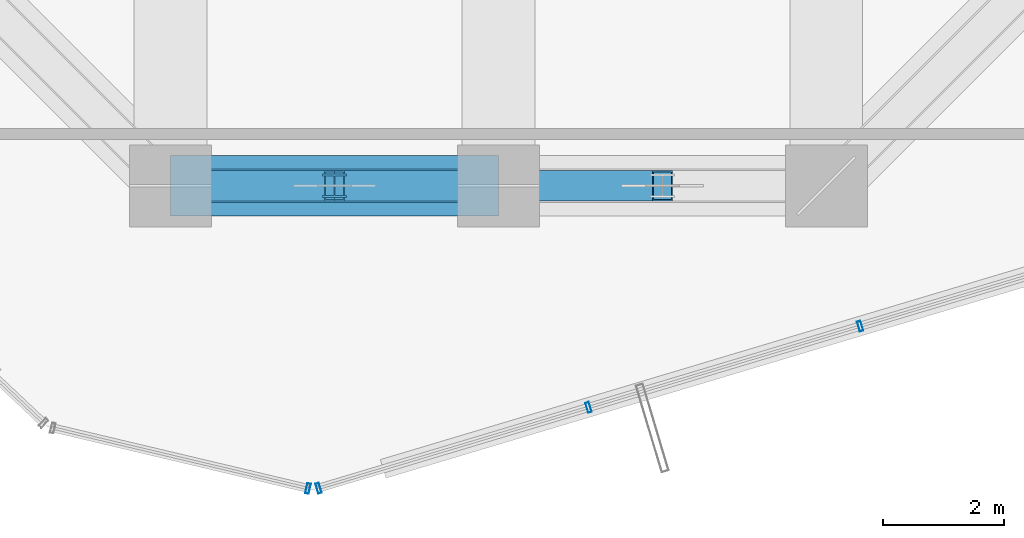
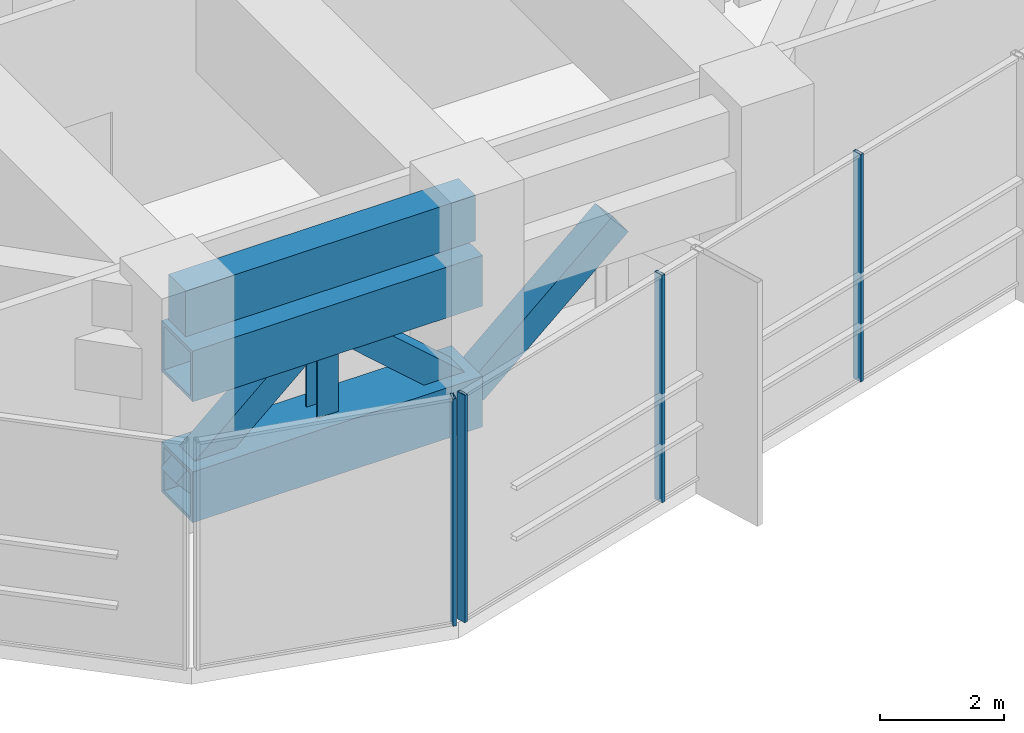
# One storey, part 6 of 41: 10 members, 1 beam, 2 elements without a shape of their own.
"""IFC4 building model written with IfcOpenShell, lengths in metres."""

from ifc_helpers import new_model, si_unit, direction, frame, origin, origin_2d, place, context, subcontext, project, spatial, rectangle, hollow_rectangle, i_section, extrude, source, transform, mapped, material, layer, layer_set, material_profile, profile_set, type_object, element, aggregate, save


model = new_model("IFC4")

# Units and contexts
model_context = context("Model", 3, precision=1e-05, world=origin(), true_north=direction((0.0, 1.0)))
body_context = subcontext(model_context, "Body", "Model", "MODEL_VIEW")
ifc_project = project(units=[si_unit("LENGTHUNIT", "METRE"), si_unit("AREAUNIT", "SQUARE_METRE"), si_unit("VOLUMEUNIT", "CUBIC_METRE"), si_unit("PLANEANGLEUNIT", "RADIAN"), si_unit("MASSUNIT", "GRAM", prefix="KILO")], contexts=[model_context])

# Site, building, storey
site_placement = place(None, origin())
site = spatial("IfcSite", under=ifc_project, at=site_placement, CompositionType="ELEMENT")
building_placement = place(site_placement, origin())
building = spatial("IfcBuilding", under=site, at=building_placement, Name="Veraguas Prism Commons", CompositionType="ELEMENT")
storey_placement = place(building_placement, frame((0.0, 0.0, 80.35009765625)))
storey = spatial("IfcBuildingStorey", under=building, at=storey_placement, Name="L22", CompositionType="ELEMENT", Elevation=80.35009765625)

# Members
ifc_material_1 = material(Name="Steel ASTM A913 Grade 65", Category="steel")
ifc_material_profile_1 = material_profile(ifc_material_1, hollow_rectangle(XDim=1.0, YDim=1.0, WallThickness=0.070068359375, at=origin_2d()), Name="BOX1000X1000X70")
ifc_profile_set_1 = profile_set([ifc_material_profile_1], Name="Steel ASTM A913 Grade 65")
member_type_1 = type_object("IfcMemberType", Name="Belt Truss Chord L22 Box 1000x1000x70", PredefinedType="CHORD", material=ifc_profile_set_1)
for number, where, z_axis, x_axis, name in (
    (1, (18.60009765625, 6.39990234375, 0.5498046875), (1.0, 0.0, 0.0), (0.0, 1.0, 0.0), "Perimeter Belt Truss Chord Bottom L22-10"),
    (2, (18.60009765625, 6.39990234375, 2.929931640625), (1.0, 0.0, 0.0), (0.0, 1.0, 0.0), "Perimeter Belt Truss Chord Top L22-10"),
):
    element("IfcMember", number, at=place(storey_placement, frame(where, z_axis=z_axis, x_axis=x_axis)), inside=storey, type_object=member_type_1, Name=name, PredefinedType="CHORD", context=body_context, shape_type="SweptSolid", body=[
        extrude(hollow_rectangle(XDim=1.0, YDim=1.0, WallThickness=0.070068359375, at=origin_2d()), origin(), (0.0, 0.0, 1.0), 5.39990234375),
    ])
ifc_material_2 = material(Name="Steel ASTM A992 Grade 50", Category="steel")
ifc_material_profile_2 = material_profile(ifc_material_2, i_section(OverallWidth=0.39794921875, OverallDepth=0.386962890625, WebThickness=0.01904296875, FlangeThickness=0.0302734375, at=origin_2d()), Name="W360X262")
ifc_profile_set_2 = profile_set([ifc_material_profile_2], Name="Steel ASTM A992 Grade 50")
member_type_2 = type_object("IfcMemberType", Name="Belt Truss Vertical Strut W360x262", PredefinedType="STRUT", material=ifc_profile_set_2)
member_1_placement = place(storey_placement, frame((21.300048828125, 6.39990234375, 0.5498046875), z_axis=(0.0, 0.0, 1.0), x_axis=(1.0, 0.0, 0.0)))
element("IfcMember", 3, at=member_1_placement, inside=storey, type_object=member_type_2, Name="Perimeter Belt Truss Strut L22-10", PredefinedType="STRUT", context=body_context, shape_type="SweptSolid", body=[
    extrude(i_section(OverallWidth=0.39794921875, OverallDepth=0.386962890625, WebThickness=0.01904296875, FlangeThickness=0.0302734375, at=origin_2d()), origin(), (0.0, 0.0, 1.0), 2.380126953125),
])
ifc_material_3 = material(Name="Steel ASTM A572 Grade 50", Category="steel")
ifc_material_profile_3 = material_profile(ifc_material_3, hollow_rectangle(XDim=0.5, YDim=0.5, WallThickness=0.02490234375, at=origin_2d()), Name="BOX500X500X25")
ifc_profile_set_3 = profile_set([ifc_material_profile_3], Name="Steel ASTM A572 Grade 50")
member_type_3 = type_object("IfcMemberType", Name="Perimeter Belt Diagonal BOX 500x500x25", PredefinedType="BRACE", material=ifc_profile_set_3)
for number, where, z_axis, x_axis, name in (
    (4, (18.60009765625, 6.39990234375, 0.5498046875), (0.750138660667, 0.0, 0.66128056812), (0.0, 1.0, 0.0), "Perimeter Belt Truss Brace L22-10A"),
    (5, (24.0, 6.39990234375, 0.5498046875), (-0.750138660667, 0.0, 0.66128056812), (0.0, -1.0, 0.0), "Perimeter Belt Truss Brace L22-10B"),
    (6, (24.0, 6.39990234375, 0.5498046875), (0.750138660667, 0.0, 0.66128056812), (0.0, 1.0, 0.0), "Perimeter Belt Truss Brace L22-11A"),
):
    element("IfcMember", number, at=place(storey_placement, frame(where, z_axis=z_axis, x_axis=x_axis)), inside=storey, type_object=member_type_3, Name=name, PredefinedType="BRACE", context=body_context, shape_type="SweptSolid", body=[
        extrude(hollow_rectangle(XDim=0.5, YDim=0.5, WallThickness=0.02490234375, at=origin_2d()), origin(), (0.0, 0.0, 1.0), 3.599365234375),
    ])

# Beam
ifc_material_4 = material(Name="Concrete C50/60", Category="concrete")
ifc_material_profile_4 = material_profile(ifc_material_4, rectangle(XDim=0.550048828125, YDim=0.89990234375, at=origin_2d()), Name="RC550X900")
ifc_profile_set_4 = profile_set([ifc_material_profile_4], Name="Concrete C50/60")
beam_type = type_object("IfcBeamType", Name="Perimeter Spandrel Lower RC 550x900", PredefinedType="SPANDREL", material=ifc_profile_set_4)
beam_placement = place(storey_placement, frame((18.60009765625, 6.39990234375, 4.02978515625), z_axis=(1.0, 0.0, 0.0), x_axis=(0.0, 1.0, 0.0)))
element("IfcBeam", 7, at=beam_placement, inside=storey, type_object=beam_type, Name="Perimeter Spandrel Beam L22-SP10", PredefinedType="SPANDREL", context=body_context, shape_type="SweptSolid", body=[
    extrude(rectangle(XDim=0.550048828125, YDim=0.89990234375, at=origin_2d()), origin(), (0.0, 0.0, 1.0), 5.39990234375),
])

# Curtain wall, members
ifc_material_5 = material(Name="Anodised aluminium EN AW-6063 T6", Category="aluminium")
ifc_layer = layer(ifc_material_5, 0.169921875, Name="Unitised Flush Curtain Wall Zone 1", Category="aluminium")
ifc_layer_set = layer_set([ifc_layer], Name="Anodised aluminium EN AW-6063 T6")
curtain_wall_type = type_object("IfcCurtainWallType", Name="Unitised Flush Curtain Wall Zone 1", PredefinedType="NOTDEFINED", material=ifc_layer_set)
curtain_wall_1_placement = place(storey_placement, origin())
curtain_wall_1 = element("IfcCurtainWall", 8, at=curtain_wall_1_placement, inside=storey, type_object=curtain_wall_type, Name="Tower Facade Curtain Wall L22-F5", PredefinedType="NOTDEFINED")
ifc_material_profile_5 = material_profile(ifc_material_5, hollow_rectangle(XDim=0.06005859375, YDim=0.169921875, WallThickness=0.00390625, at=origin_2d()), Name="AL60X170X4")
ifc_profile_set_5 = profile_set([ifc_material_profile_5], Name="Anodised aluminium EN AW-6063 T6")
member_type_4 = type_object("IfcMemberType", Name="Curtain Wall Mullion Lower AL 60x170x4", PredefinedType="MULLION", material=ifc_profile_set_5)
shared_shape = source(origin(), body_context, "Body", "SweptSolid", [
    extrude(hollow_rectangle(XDim=0.06005859375, YDim=0.169921875, WallThickness=0.00390625, at=origin_2d()), origin(), (0.0, 0.0, 1.0), 4.47998046875),
])
member_2_placement = place(storey_placement, frame((21.037841796875, 1.418212890625, 0.0), z_axis=(0.0, 0.0, 1.0), x_axis=(0.958022876902, 0.286691763629, 0.0)))
member_2 = element("IfcMember", 9, at=member_2_placement, type_object=member_type_4, Name="CW-Z1 Mullion 1", PredefinedType="MULLION", context=body_context, shape_type="MappedRepresentation", body=[
    mapped(shared_shape, transform((0.0, 0.0, 0.0), scale=1.0)),
])
member_3_placement = place(storey_placement, frame((25.48388671875, 2.748779296875, 0.0), z_axis=(0.0, 0.0, 1.0), x_axis=(0.958022876902, 0.286691763629, 0.0)))
member_3 = element("IfcMember", 10, at=member_3_placement, type_object=member_type_4, Name="CW-Z1 Mullion 2", PredefinedType="MULLION", context=body_context, shape_type="MappedRepresentation", body=[
    mapped(shared_shape, transform((0.0, 0.0, 0.0), scale=1.0)),
])
member_4_placement = place(storey_placement, frame((29.958740234375, 4.087890625, 0.0), z_axis=(0.0, 0.0, 1.0), x_axis=(0.958022876902, 0.286691763629, 0.0)))
member_4 = element("IfcMember", 11, at=member_4_placement, type_object=member_type_4, Name="CW-Z1 Mullion 3", PredefinedType="MULLION", context=body_context, shape_type="MappedRepresentation", body=[
    mapped(shared_shape, transform((0.0, 0.0, 0.0), scale=1.0)),
])
aggregate(curtain_wall_1, [member_2, member_3, member_4])

# Curtain wall, member
curtain_wall_2_placement = place(storey_placement, origin())
curtain_wall_2 = element("IfcCurtainWall", 12, at=curtain_wall_2_placement, inside=storey, type_object=curtain_wall_type, Name="Chamfer Curtain Wall L22-C5", PredefinedType="NOTDEFINED")
member_5_placement = place(storey_placement, frame((20.864013671875, 1.4130859375, 0.0), z_axis=(0.0, 0.0, 1.0), x_axis=(0.973012392552, -0.23075286334, 0.0)))
member_5 = element("IfcMember", 13, at=member_5_placement, type_object=member_type_4, Name="CW-Z1 Mullion 2", PredefinedType="MULLION", context=body_context, shape_type="MappedRepresentation", body=[
    mapped(shared_shape, transform((0.0, 0.0, 0.0), scale=1.0)),
])
aggregate(curtain_wall_2, [member_5])

save(model, "model.ifc")
